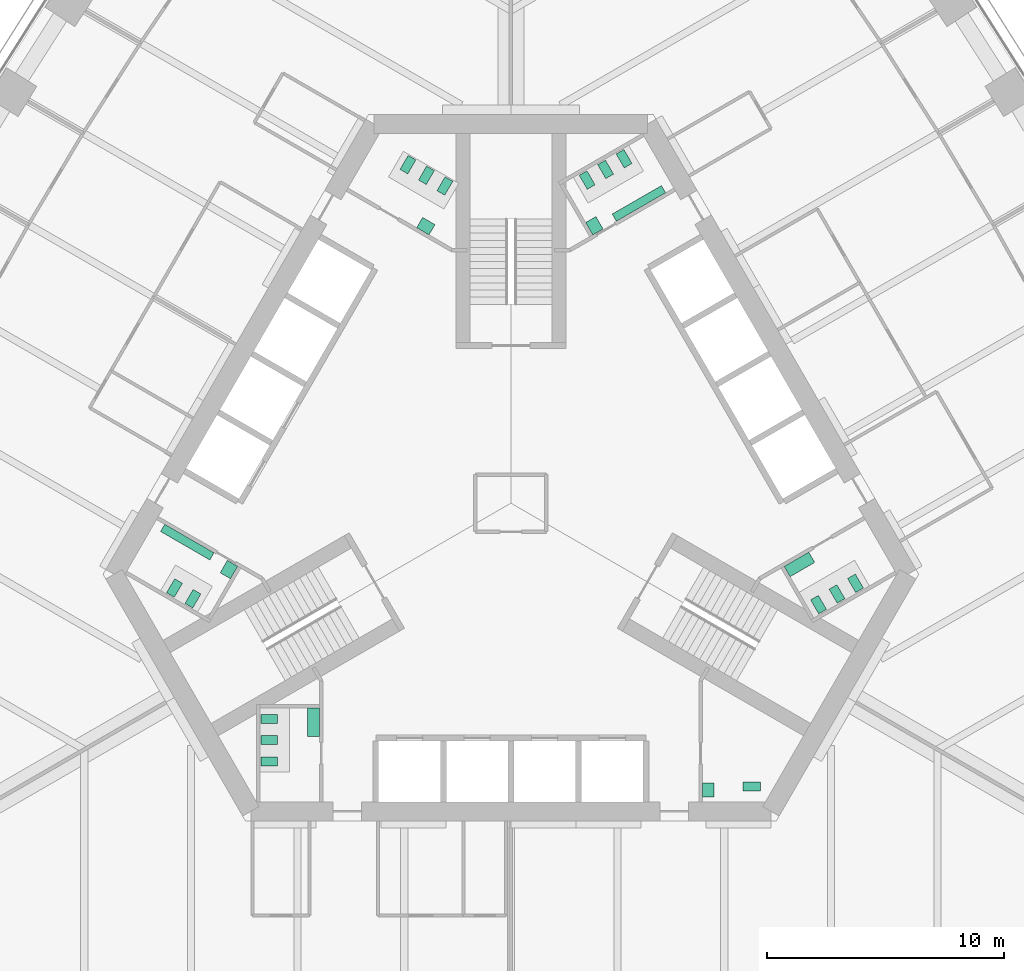
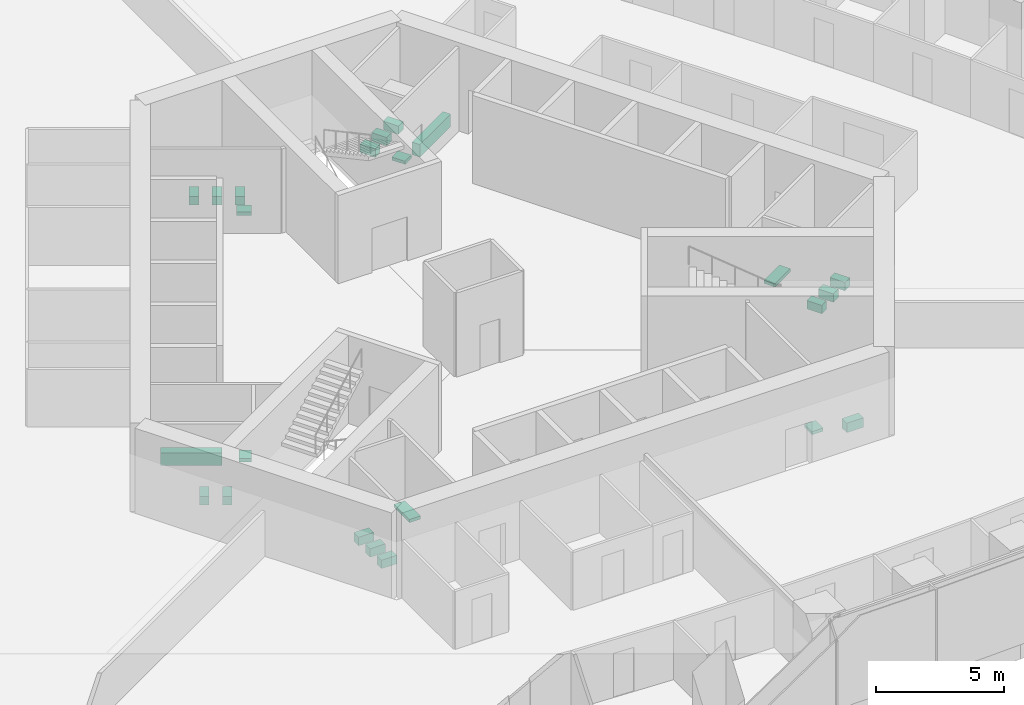
# One storey, part 18 of 19: 23 sanitary terminals.
"""IFC4 building model written with IfcOpenShell, lengths in metres."""

import ifcopenshell
import ifcopenshell.guid

model = None  # the IFC model being written
_history = None  # IfcOwnerHistory: only IFC2X3 demands one
_inside = {}  # id of a spatial element -> (the spatial element, [elements in it])
_under = {}  # id of a project, library or spatial element -> (it, [spatial elements below it])
_declared = {}  # id of a project -> (the project, [libraries it declares])
_typed = {}  # id of a type object -> (the type object, [elements of that type])
_made_of = {}  # id of a material, layer set ... -> (it, [elements and type objects made of it])


def new_model(schema):
    """Start an empty IFC model of exactly this schema.

    Asked for "IFC4X3", IfcOpenShell would pick the latest addendum, in which some entities
    have other attributes; the version numbers below select the first issue.
    IFC2X3 requires an IfcOwnerHistory on every rooted entity: one is made here for all.
    """
    global model, _history
    if schema == "IFC4X3":
        model = ifcopenshell.file(schema_version=(4, 3, 0, 0))
    else:
        model = ifcopenshell.file(schema=schema)
    _inside.clear()
    _under.clear()
    _declared.clear()
    _typed.clear()
    _made_of.clear()
    _history = None
    if model.schema == "IFC2X3":
        org = make("IfcOrganization", Name="unknown")
        user = make(
            "IfcPersonAndOrganization",
            ThePerson=make("IfcPerson", FamilyName="unknown"),
            TheOrganization=org,
        )
        app = make(
            "IfcApplication",
            ApplicationDeveloper=org,
            Version="unknown",
            ApplicationFullName="unknown",
            ApplicationIdentifier="unknown",
        )
        _history = make(
            "IfcOwnerHistory",
            OwningUser=user,
            OwningApplication=app,
            ChangeAction="ADDED",
            CreationDate=0,
        )
    return model


def make(cls, **values):
    """One entity of the class cls with the attributes given. An attribute that is None is left unset."""
    return model.create_entity(
        cls, **{name: value for name, value in values.items() if value is not None}
    )


def rooted(cls, **values):
    """An entity with a GlobalId (a new one), such as an element, a storey or a relation."""
    return make(cls, GlobalId=ifcopenshell.guid.new(), OwnerHistory=_history, **values)


def si_unit(unit_type, name, prefix=None):
    """IfcSIUnit, for example si_unit("LENGTHUNIT", "METRE", prefix="MILLI")."""
    return make("IfcSIUnit", UnitType=unit_type, Prefix=prefix, Name=name)


def assignment(units):
    """IfcUnitAssignment: the units of a project."""
    return None if units is None else make("IfcUnitAssignment", Units=units)


def point(xyz):
    """IfcCartesianPoint."""
    return None if xyz is None else make("IfcCartesianPoint", Coordinates=xyz)


def direction(xyz):
    """IfcDirection."""
    return None if xyz is None else make("IfcDirection", DirectionRatios=xyz)


def frame(location, z_axis=None, x_axis=None):
    """IfcAxis2Placement3D, a coordinate frame: its origin and axes. An axis left out is left unset."""
    return make(
        "IfcAxis2Placement3D",
        Location=point(location),
        Axis=direction(z_axis),
        RefDirection=direction(x_axis),
    )


def origin():
    """The frame at (0, 0, 0) with its axes left unset."""
    return frame((0.0, 0.0, 0.0))


def place(relative_to, where):
    """IfcLocalPlacement: puts the frame where relative to a parent placement (None: the world)."""
    return make(
        "IfcLocalPlacement", PlacementRelTo=relative_to, RelativePlacement=where
    )


def context(
    kind, dimensions, precision=None, world=None, true_north=None, identifier=None
):
    """IfcGeometricRepresentationContext, for example the 3D "Model" context."""
    return make(
        "IfcGeometricRepresentationContext",
        ContextIdentifier=identifier,
        ContextType=kind,
        CoordinateSpaceDimension=dimensions,
        Precision=precision,
        WorldCoordinateSystem=world,
        TrueNorth=true_north,
    )


def subcontext(parent, identifier, kind, view, scale=None):
    """IfcGeometricRepresentationSubContext, for example "Body" below "Model"."""
    return make(
        "IfcGeometricRepresentationSubContext",
        ContextIdentifier=identifier,
        ContextType=kind,
        ParentContext=parent,
        TargetScale=scale,
        TargetView=view,
    )


def project(units=None, contexts=None):
    """IfcProject with its units and contexts."""
    return rooted(
        "IfcProject",
        Name="project",
        RepresentationContexts=contexts,
        UnitsInContext=assignment(units),
    )


def spatial(cls, under=None, at=None, **own):
    """A site, building, storey or space (cls), placed at a placement, below another one or the project."""
    s = rooted(cls, ObjectPlacement=at, **own)
    if under is not None:
        _under.setdefault(under.id(), (under, []))[1].append(s)
    return s


def polyline(points):
    """IfcPolyline through the points."""
    return make("IfcPolyline", Points=[point(p) for p in points])


def outline(outer, holes=None, kind="AREA"):
    """IfcArbitraryClosedProfileDef: a profile drawn as a closed curve; with holes, ...WithVoids."""
    if holes is None:
        return make("IfcArbitraryClosedProfileDef", ProfileType=kind, OuterCurve=outer)
    return make(
        "IfcArbitraryProfileDefWithVoids",
        ProfileType=kind,
        OuterCurve=outer,
        InnerCurves=holes,
    )


def extrude(swept, where, along, depth):
    """IfcExtrudedAreaSolid: the profile swept, set in the frame where, extruded along a direction by depth."""
    return make(
        "IfcExtrudedAreaSolid",
        SweptArea=swept,
        Position=where,
        ExtrudedDirection=direction(along),
        Depth=depth,
    )


def shape(context_of_items, identifier, shape_type, items):
    """IfcShapeRepresentation: the items that make up one representation, for example the "Body"."""
    return make(
        "IfcShapeRepresentation",
        ContextOfItems=context_of_items,
        RepresentationIdentifier=identifier,
        RepresentationType=shape_type,
        Items=items,
    )


def material(Name=None, Category=None):
    """IfcMaterial."""
    return make("IfcMaterial", Name=Name, Category=Category)


def made_of(thing, what):
    """Note that an element or type object is made of a material, layer set ...; save() writes the relation."""
    if what is not None:
        _made_of.setdefault(what.id(), (what, []))[1].append(thing)
    return thing


def type_object(cls, material=None, **own):
    """A type object (cls), such as IfcWallType, which elements share."""
    return made_of(rooted(cls, **own), material)


def element(
    cls,
    number,
    at=None,
    inside=None,
    cuts=None,
    type_object=None,
    material=None,
    context=None,
    identifier="Body",
    shape_type=None,
    held_by="IfcProductDefinitionShape",
    body=None,
    shapes=None,
    **own,
):
    """One element of the class cls, such as IfcWall. Its Tag is "e" and its number.

    at: its placement. inside: the storey or other place that contains it. cuts: it is an
    opening in that element (IfcRelVoidsElement). A single representation is given by context,
    identifier, shape_type and body (its items); several are given by shapes. held_by: the class
    of the entity that holds the representations. save() writes the other relations.
    """
    e = rooted(cls, Tag="e%d" % number, ObjectPlacement=at, **own)
    if body is not None:
        shapes = [shape(context, identifier, shape_type, body)]
    if shapes is not None:
        e.Representation = make(held_by, Representations=shapes)
    if inside is not None:
        _inside.setdefault(inside.id(), (inside, []))[1].append(e)
    if cuts is not None:
        rooted(
            "IfcRelVoidsElement", RelatingBuildingElement=cuts, RelatedOpeningElement=e
        )
    if type_object is not None:
        _typed.setdefault(type_object.id(), (type_object, []))[1].append(e)
    return made_of(e, material)


def aggregate(whole, parts):
    """IfcRelAggregates: a whole, such as a stair, and the parts it consists of."""
    return rooted("IfcRelAggregates", RelatingObject=whole, RelatedObjects=parts)


def save(model, path):
    """Write the relations noted so far, then the file.

    IfcRelAggregates (storeys below a building ...), IfcRelContainedInSpatialStructure (elements
    in a storey), IfcRelDefinesByType, IfcRelAssociatesMaterial and IfcRelDeclares: one each for
    every whole, place, type object, material and project.
    """
    for whole, parts in _under.values():
        aggregate(whole, parts)
    for where, things in _inside.values():
        rooted(
            "IfcRelContainedInSpatialStructure",
            RelatedElements=things,
            RelatingStructure=where,
        )
    for kind, things in _typed.values():
        rooted("IfcRelDefinesByType", RelatedObjects=things, RelatingType=kind)
    for what, things in _made_of.values():
        rooted("IfcRelAssociatesMaterial", RelatedObjects=things, RelatingMaterial=what)
    for by, libraries in _declared.values():
        rooted("IfcRelDeclares", RelatingContext=by, RelatedDefinitions=libraries)
    model.write(path)


model = new_model("IFC4")

# Units and contexts
model_context = context("Model", 3, precision=1e-05, world=origin(), true_north=direction((0.0, 1.0)))
body_context = subcontext(model_context, "Body", "Model", "MODEL_VIEW")
ifc_project = project(units=[si_unit("LENGTHUNIT", "METRE"), si_unit("AREAUNIT", "SQUARE_METRE"), si_unit("VOLUMEUNIT", "CUBIC_METRE"), si_unit("PLANEANGLEUNIT", "RADIAN"), si_unit("MASSUNIT", "GRAM", prefix="KILO")], contexts=[model_context])

# Site, building, storey
site_placement = place(None, origin())
site = spatial("IfcSite", under=ifc_project, at=site_placement, CompositionType="ELEMENT")
building_placement = place(site_placement, origin())
building = spatial("IfcBuilding", under=site, at=building_placement, Name="Trefoil Bronze Tower", CompositionType="ELEMENT")
storey_placement = place(building_placement, frame((0.0, 0.0, 16.5)))
storey = spatial("IfcBuildingStorey", under=building, at=storey_placement, Name="L03", CompositionType="ELEMENT", Elevation=16.5)

# Sanitary terminals
ifc_material_1 = material(Name="Vitreous china", Category="ceramic")
sanitary_terminal_type_1 = type_object("IfcSanitaryTerminalType", Name="Accessible WC pan", PredefinedType="TOILETPAN", material=ifc_material_1)
sanitary_terminal_1_placement = place(storey_placement, origin())
element("IfcSanitaryTerminal", 1, at=sanitary_terminal_1_placement, inside=storey, type_object=sanitary_terminal_type_1, Name="WC pan 1 Accessible WC L03", PredefinedType="TOILETPAN", context=body_context, shape_type="SweptSolid", body=[
    extrude(outline(polyline([(9.784912109375, -11.77001953125), (10.534912109375, -11.77001953125), (10.534912109375, -12.14990234375), (9.784912109375, -12.14990234375), (9.784912109375, -11.77001953125)])), origin(), (0.0, 0.0, 1.0), 0.449951171875),
])
ifc_material_2 = material(Name="Vitreous china", Category="ceramic")
sanitary_terminal_type_2 = type_object("IfcSanitaryTerminalType", Name="Accessible basin", PredefinedType="WASHHANDBASIN", material=ifc_material_2)
sanitary_terminal_2_placement = place(storey_placement, frame((0.0, 0.0, 0.64990234375)))
element("IfcSanitaryTerminal", 2, at=sanitary_terminal_2_placement, inside=storey, type_object=sanitary_terminal_type_2, Name="Wash basin Accessible WC L03", PredefinedType="WASHHANDBASIN", context=body_context, shape_type="SweptSolid", body=[
    extrude(outline(polyline([(8.074951171875, -11.800048828125), (8.574951171875, -11.800048828125), (8.574951171875, -12.39990234375), (8.074951171875, -12.39990234375), (8.074951171875, -11.800048828125)])), origin(), (0.0, 0.0, 1.0), 0.150146484375),
])
ifc_material_3 = material(Name="Vitreous china", Category="ceramic")
sanitary_terminal_type_3 = type_object("IfcSanitaryTerminalType", Name="Urinal range 4 urinals", PredefinedType="URINAL", material=ifc_material_3)
sanitary_terminal_3_placement = place(storey_placement, frame((0.0, 0.0, 0.39990234375)))
element("IfcSanitaryTerminal", 3, at=sanitary_terminal_3_placement, inside=storey, type_object=sanitary_terminal_type_3, Name="Urinal range WC (men) L03", PredefinedType="URINAL", context=body_context, shape_type="SweptSolid", body=[
    extrude(outline(polyline([(4.449462890625, 11.89306640625), (4.274658203125, 12.1962890625), (6.35302734375, 13.396240234375), (6.528076171875, 13.09326171875), (4.449462890625, 11.89306640625)])), origin(), (0.0, 0.0, 1.0), 0.60009765625),
])
sanitary_terminal_4_placement = place(storey_placement, frame((0.0, 0.0, 0.39990234375)))
element("IfcSanitaryTerminal", 4, at=sanitary_terminal_4_placement, inside=storey, type_object=sanitary_terminal_type_3, Name="Urinal range WC (men) L03", PredefinedType="URINAL", context=body_context, shape_type="SweptSolid", body=[
    extrude(outline(polyline([(-12.524658203125, -2.09326171875), (-12.699462890625, -2.396240234375), (-14.778076171875, -1.1962890625), (-14.60302734375, -0.89306640625), (-12.524658203125, -2.09326171875)])), origin(), (0.0, 0.0, 1.0), 0.60009765625),
])
ifc_material_4 = material(Name="Solid surface vanity", Category="plastic")
sanitary_terminal_type_4 = type_object("IfcSanitaryTerminalType", Name="Vanity unit 1 basins", PredefinedType="WASHHANDBASIN", material=ifc_material_4)
sanitary_terminal_5_placement = place(storey_placement, frame((0.0, 0.0, 0.75)))
element("IfcSanitaryTerminal", 5, at=sanitary_terminal_5_placement, inside=storey, type_object=sanitary_terminal_type_4, Name="Vanity unit WC (men) L03", PredefinedType="WASHHANDBASIN", context=body_context, shape_type="SweptSolid", body=[
    extrude(outline(polyline([(3.45361328125, 11.318115234375), (3.153564453125, 11.837890625), (3.586669921875, 12.087890625), (3.88671875, 11.568115234375), (3.45361328125, 11.318115234375)])), origin(), (0.0, 0.0, 1.0), 0.14990234375),
])
sanitary_terminal_6_placement = place(storey_placement, frame((0.0, 0.0, 0.75)))
element("IfcSanitaryTerminal", 6, at=sanitary_terminal_6_placement, inside=storey, type_object=sanitary_terminal_type_4, Name="Vanity unit WC (women) L03", PredefinedType="WASHHANDBASIN", context=body_context, shape_type="SweptSolid", body=[
    extrude(outline(polyline([(-3.45361328125, 11.318115234375), (-3.20361328125, 11.751220703125), (-3.72314453125, 12.05126953125), (-3.97314453125, 11.6181640625), (-3.45361328125, 11.318115234375)])), origin(), (0.0, 0.0, 1.0), 0.14990234375),
])
sanitary_terminal_7_placement = place(storey_placement, frame((0.0, 0.0, 0.75)))
element("IfcSanitaryTerminal", 7, at=sanitary_terminal_7_placement, inside=storey, type_object=sanitary_terminal_type_4, Name="Vanity unit WC (men) L03", PredefinedType="WASHHANDBASIN", context=body_context, shape_type="SweptSolid", body=[
    extrude(outline(polyline([(-11.528564453125, -2.668212890625), (-11.82861328125, -3.187744140625), (-12.26171875, -2.937744140625), (-11.961669921875, -2.418212890625), (-11.528564453125, -2.668212890625)])), origin(), (0.0, 0.0, 1.0), 0.14990234375),
])
ifc_material_5 = material(Name="Solid surface vanity", Category="plastic")
sanitary_terminal_type_5 = type_object("IfcSanitaryTerminalType", Name="Vanity unit 2 basins", PredefinedType="WASHHANDBASIN", material=ifc_material_5)
sanitary_terminal_8_placement = place(storey_placement, frame((0.0, 0.0, 0.75)))
element("IfcSanitaryTerminal", 8, at=sanitary_terminal_8_placement, inside=storey, type_object=sanitary_terminal_type_5, Name="Vanity unit WC (women) L03", PredefinedType="WASHHANDBASIN", context=body_context, shape_type="SweptSolid", body=[
    extrude(outline(polyline([(11.528564453125, -2.668212890625), (11.778564453125, -3.10107421875), (12.81787109375, -2.501220703125), (12.56787109375, -2.068115234375), (11.528564453125, -2.668212890625)])), origin(), (0.0, 0.0, 1.0), 0.14990234375),
])
sanitary_terminal_9_placement = place(storey_placement, frame((0.0, 0.0, 0.75)))
element("IfcSanitaryTerminal", 9, at=sanitary_terminal_9_placement, inside=storey, type_object=sanitary_terminal_type_5, Name="Vanity unit WC (women) L03", PredefinedType="WASHHANDBASIN", context=body_context, shape_type="SweptSolid", body=[
    extrude(outline(polyline([(-8.074951171875, -8.64990234375), (-8.574951171875, -8.64990234375), (-8.574951171875, -9.85009765625), (-8.074951171875, -9.85009765625), (-8.074951171875, -8.64990234375)])), origin(), (0.0, 0.0, 1.0), 0.14990234375),
])
ifc_material_6 = material(Name="Vitreous china", Category="ceramic")
sanitary_terminal_type_6 = type_object("IfcSanitaryTerminalType", Name="WC pan", PredefinedType="TOILETPAN", material=ifc_material_6)
sanitary_terminal_10_placement = place(storey_placement, origin())
element("IfcSanitaryTerminal", 10, at=sanitary_terminal_10_placement, inside=storey, type_object=sanitary_terminal_type_6, Name="WC pan 1 WC (women) L03", PredefinedType="TOILETPAN", context=body_context, shape_type="SweptSolid", body=[
    extrude(outline(polyline([(12.643798828125, -4.07958984375), (12.98388671875, -4.66845703125), (13.31298828125, -4.478515625), (12.972900390625, -3.8896484375), (12.643798828125, -4.07958984375)])), origin(), (0.0, 0.0, 1.0), 0.39990234375),
])
sanitary_terminal_11_placement = place(storey_placement, origin())
element("IfcSanitaryTerminal", 11, at=sanitary_terminal_11_placement, inside=storey, type_object=sanitary_terminal_type_6, Name="WC pan 2 WC (women) L03", PredefinedType="TOILETPAN", context=body_context, shape_type="SweptSolid", body=[
    extrude(outline(polyline([(13.423095703125, -3.629638671875), (13.76318359375, -4.218505859375), (14.09228515625, -4.028564453125), (13.752197265625, -3.439697265625), (13.423095703125, -3.629638671875)])), origin(), (0.0, 0.0, 1.0), 0.39990234375),
])
sanitary_terminal_12_placement = place(storey_placement, origin())
element("IfcSanitaryTerminal", 12, at=sanitary_terminal_12_placement, inside=storey, type_object=sanitary_terminal_type_6, Name="WC pan 3 WC (women) L03", PredefinedType="TOILETPAN", context=body_context, shape_type="SweptSolid", body=[
    extrude(outline(polyline([(14.20263671875, -3.1796875), (14.542724609375, -3.7685546875), (14.871826171875, -3.57861328125), (14.53173828125, -2.98974609375), (14.20263671875, -3.1796875)])), origin(), (0.0, 0.0, 1.0), 0.39990234375),
])
sanitary_terminal_13_placement = place(storey_placement, origin())
element("IfcSanitaryTerminal", 13, at=sanitary_terminal_13_placement, inside=storey, type_object=sanitary_terminal_type_6, Name="WC pan 1 WC (men) L03", PredefinedType="TOILETPAN", context=body_context, shape_type="SweptSolid", body=[
    extrude(outline(polyline([(3.2216796875, 13.23974609375), (2.8818359375, 13.82861328125), (3.2109375, 14.0185546875), (3.55078125, 13.4296875), (3.2216796875, 13.23974609375)])), origin(), (0.0, 0.0, 1.0), 0.39990234375),
])
sanitary_terminal_14_placement = place(storey_placement, origin())
element("IfcSanitaryTerminal", 14, at=sanitary_terminal_14_placement, inside=storey, type_object=sanitary_terminal_type_6, Name="WC pan 2 WC (men) L03", PredefinedType="TOILETPAN", context=body_context, shape_type="SweptSolid", body=[
    extrude(outline(polyline([(4.001220703125, 13.689697265625), (3.6611328125, 14.278564453125), (3.990234375, 14.468505859375), (4.330322265625, 13.879638671875), (4.001220703125, 13.689697265625)])), origin(), (0.0, 0.0, 1.0), 0.39990234375),
])
sanitary_terminal_15_placement = place(storey_placement, origin())
element("IfcSanitaryTerminal", 15, at=sanitary_terminal_15_placement, inside=storey, type_object=sanitary_terminal_type_6, Name="WC pan 3 WC (men) L03", PredefinedType="TOILETPAN", context=body_context, shape_type="SweptSolid", body=[
    extrude(outline(polyline([(4.78076171875, 14.1396484375), (4.440673828125, 14.728515625), (4.769775390625, 14.91845703125), (5.109619140625, 14.32958984375), (4.78076171875, 14.1396484375)])), origin(), (0.0, 0.0, 1.0), 0.39990234375),
])
sanitary_terminal_16_placement = place(storey_placement, origin())
element("IfcSanitaryTerminal", 16, at=sanitary_terminal_16_placement, inside=storey, type_object=sanitary_terminal_type_6, Name="WC pan 1 WC (women) L03", PredefinedType="TOILETPAN", context=body_context, shape_type="SweptSolid", body=[
    extrude(outline(polyline([(-2.788818359375, 12.98974609375), (-2.44873046875, 13.57861328125), (-2.77783203125, 13.7685546875), (-3.117919921875, 13.1796875), (-2.788818359375, 12.98974609375)])), origin(), (0.0, 0.0, 1.0), 0.39990234375),
])
sanitary_terminal_17_placement = place(storey_placement, origin())
element("IfcSanitaryTerminal", 17, at=sanitary_terminal_17_placement, inside=storey, type_object=sanitary_terminal_type_6, Name="WC pan 2 WC (women) L03", PredefinedType="TOILETPAN", context=body_context, shape_type="SweptSolid", body=[
    extrude(outline(polyline([(-3.568115234375, 13.439697265625), (-3.228271484375, 14.028564453125), (-3.557373046875, 14.218505859375), (-3.897216796875, 13.629638671875), (-3.568115234375, 13.439697265625)])), origin(), (0.0, 0.0, 1.0), 0.39990234375),
])
sanitary_terminal_18_placement = place(storey_placement, origin())
element("IfcSanitaryTerminal", 18, at=sanitary_terminal_18_placement, inside=storey, type_object=sanitary_terminal_type_6, Name="WC pan 3 WC (women) L03", PredefinedType="TOILETPAN", context=body_context, shape_type="SweptSolid", body=[
    extrude(outline(polyline([(-4.34765625, 13.8896484375), (-4.007568359375, 14.478515625), (-4.336669921875, 14.66845703125), (-4.6767578125, 14.07958984375), (-4.34765625, 13.8896484375)])), origin(), (0.0, 0.0, 1.0), 0.39990234375),
])
sanitary_terminal_19_placement = place(storey_placement, origin())
element("IfcSanitaryTerminal", 19, at=sanitary_terminal_19_placement, inside=storey, type_object=sanitary_terminal_type_6, Name="WC pan 1 WC (men) L03", PredefinedType="TOILETPAN", context=body_context, shape_type="SweptSolid", body=[
    extrude(outline(polyline([(-13.076904296875, -3.82958984375), (-13.416748046875, -4.41845703125), (-13.745849609375, -4.228515625), (-13.406005859375, -3.6396484375), (-13.076904296875, -3.82958984375)])), origin(), (0.0, 0.0, 1.0), 0.39990234375),
])
sanitary_terminal_20_placement = place(storey_placement, origin())
element("IfcSanitaryTerminal", 20, at=sanitary_terminal_20_placement, inside=storey, type_object=sanitary_terminal_type_6, Name="WC pan 2 WC (men) L03", PredefinedType="TOILETPAN", context=body_context, shape_type="SweptSolid", body=[
    extrude(outline(polyline([(-13.856201171875, -3.379638671875), (-14.1962890625, -3.968505859375), (-14.525390625, -3.778564453125), (-14.185302734375, -3.189697265625), (-13.856201171875, -3.379638671875)])), origin(), (0.0, 0.0, 1.0), 0.39990234375),
])
sanitary_terminal_21_placement = place(storey_placement, origin())
element("IfcSanitaryTerminal", 21, at=sanitary_terminal_21_placement, inside=storey, type_object=sanitary_terminal_type_6, Name="WC pan 1 WC (women) L03", PredefinedType="TOILETPAN", context=body_context, shape_type="SweptSolid", body=[
    extrude(outline(polyline([(-9.85498046875, -8.909912109375), (-10.534912109375, -8.909912109375), (-10.534912109375, -9.2900390625), (-9.85498046875, -9.2900390625), (-9.85498046875, -8.909912109375)])), origin(), (0.0, 0.0, 1.0), 0.39990234375),
])
sanitary_terminal_22_placement = place(storey_placement, origin())
element("IfcSanitaryTerminal", 22, at=sanitary_terminal_22_placement, inside=storey, type_object=sanitary_terminal_type_6, Name="WC pan 2 WC (women) L03", PredefinedType="TOILETPAN", context=body_context, shape_type="SweptSolid", body=[
    extrude(outline(polyline([(-9.85498046875, -9.81005859375), (-10.534912109375, -9.81005859375), (-10.534912109375, -10.18994140625), (-9.85498046875, -10.18994140625), (-9.85498046875, -9.81005859375)])), origin(), (0.0, 0.0, 1.0), 0.39990234375),
])
sanitary_terminal_23_placement = place(storey_placement, origin())
element("IfcSanitaryTerminal", 23, at=sanitary_terminal_23_placement, inside=storey, type_object=sanitary_terminal_type_6, Name="WC pan 3 WC (women) L03", PredefinedType="TOILETPAN", context=body_context, shape_type="SweptSolid", body=[
    extrude(outline(polyline([(-9.85498046875, -10.7099609375), (-10.534912109375, -10.7099609375), (-10.534912109375, -11.090087890625), (-9.85498046875, -11.090087890625), (-9.85498046875, -10.7099609375)])), origin(), (0.0, 0.0, 1.0), 0.39990234375),
])

save(model, "model.ifc")
